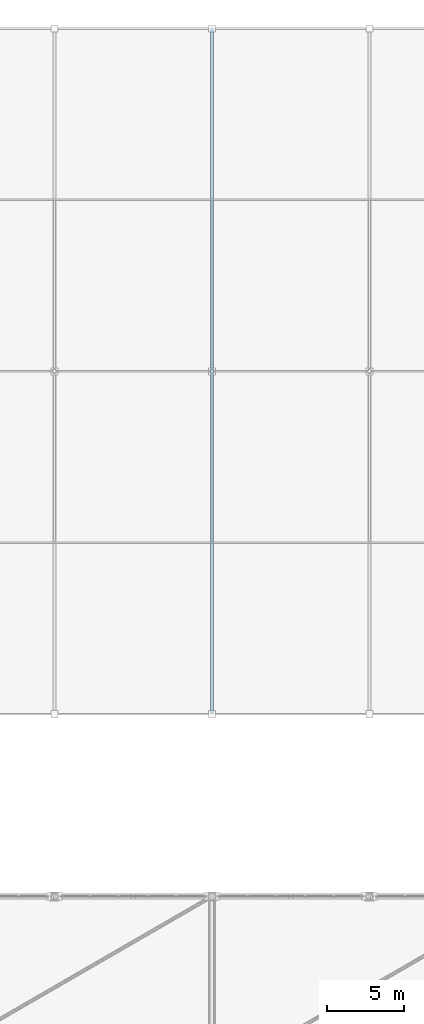
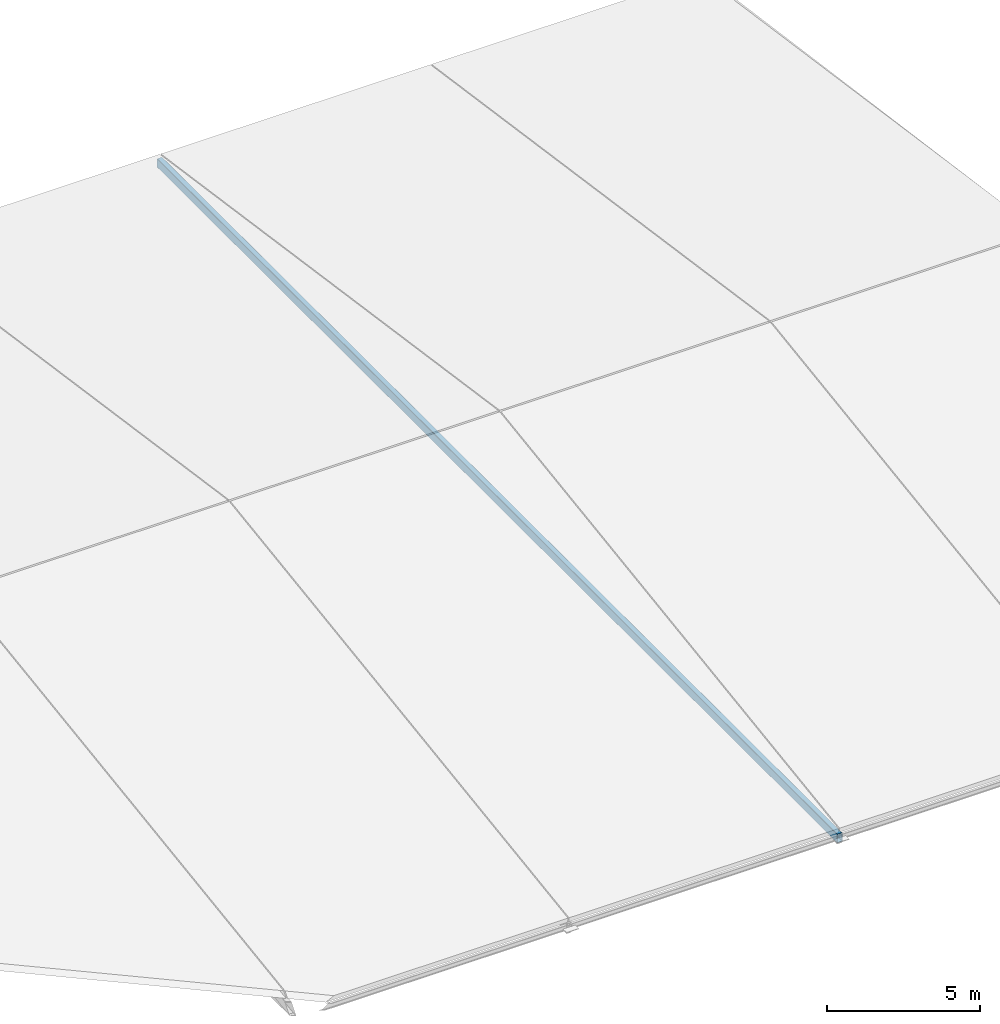
# One storey, part 86 of 135: 1 member.
"""IFC4 building model written with IfcOpenShell, lengths in metres."""

from ifc_helpers import new_model, si_unit, direction, frame, origin, origin_2d, place, context, subcontext, project, spatial, hollow_rectangle, extrude, material, material_profile, profile_set, type_object, element, save


model = new_model("IFC4")

# Units and contexts
model_context = context("Model", 3, precision=1e-05, world=origin(), true_north=direction((0.0, 1.0)))
body_context = subcontext(model_context, "Body", "Model", "MODEL_VIEW")
ifc_project = project(units=[si_unit("LENGTHUNIT", "METRE"), si_unit("AREAUNIT", "SQUARE_METRE"), si_unit("VOLUMEUNIT", "CUBIC_METRE"), si_unit("PLANEANGLEUNIT", "RADIAN"), si_unit("MASSUNIT", "GRAM", prefix="KILO")], contexts=[model_context])

# Site, building, storey
site_placement = place(None, origin())
site = spatial("IfcSite", under=ifc_project, at=site_placement, CompositionType="ELEMENT")
building_placement = place(site_placement, origin())
building = spatial("IfcBuilding", under=site, at=building_placement, Name="Brelvane Convention Centre", CompositionType="ELEMENT")
storey_placement = place(building_placement, frame((0.0, 0.0, 15.0)))
storey = spatial("IfcBuildingStorey", under=building, at=storey_placement, Name="L03", CompositionType="ELEMENT", Elevation=15.0)

# Member
ifc_material = material(Name="Steel E350 (350 MPa)", Category="steel")
ifc_material_profile = material_profile(ifc_material, hollow_rectangle(XDim=0.199951171875, YDim=0.35009765625, WallThickness=0.012451171875, InnerFilletRadius=0.012451171875, OuterFilletRadius=0.02490234375, at=origin_2d()), Name="RHS 350x200x12.5")
ifc_profile_set = profile_set([ifc_material_profile], Name="Steel E350 (350 MPa)")
member_type = type_object("IfcMemberType", Name="Steel Chord TR-CH1 (RHS 350x200x12.5)", PredefinedType="CHORD", material=ifc_profile_set)
member_placement = place(storey_placement, frame((204.0, 99.60009765625, -0.35009765625), z_axis=(0.0, 1.0, 0.0), x_axis=(-1.0, 0.0, 0.0)))
element("IfcMember", 1, at=member_placement, inside=storey, type_object=member_type, Name="Ballroom Roof Truss Bottom Chord T4", PredefinedType="CHORD", context=body_context, shape_type="SweptSolid", body=[
    extrude(hollow_rectangle(XDim=0.199951171875, YDim=0.35009765625, WallThickness=0.012451171875, InnerFilletRadius=0.012451171875, OuterFilletRadius=0.02490234375, at=origin_2d()), origin(), (0.0, 0.0, 1.0), 44.39990234375),
])

save(model, "model.ifc")
